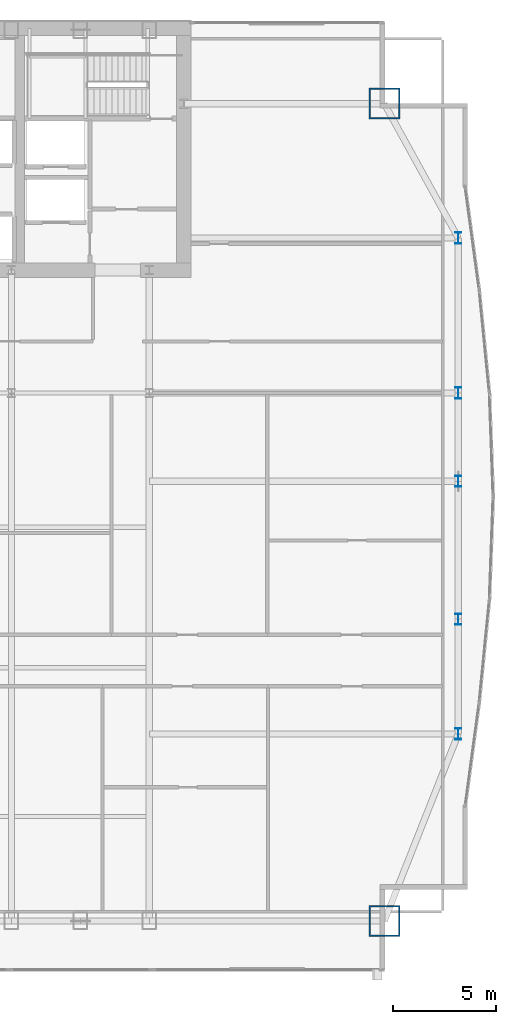
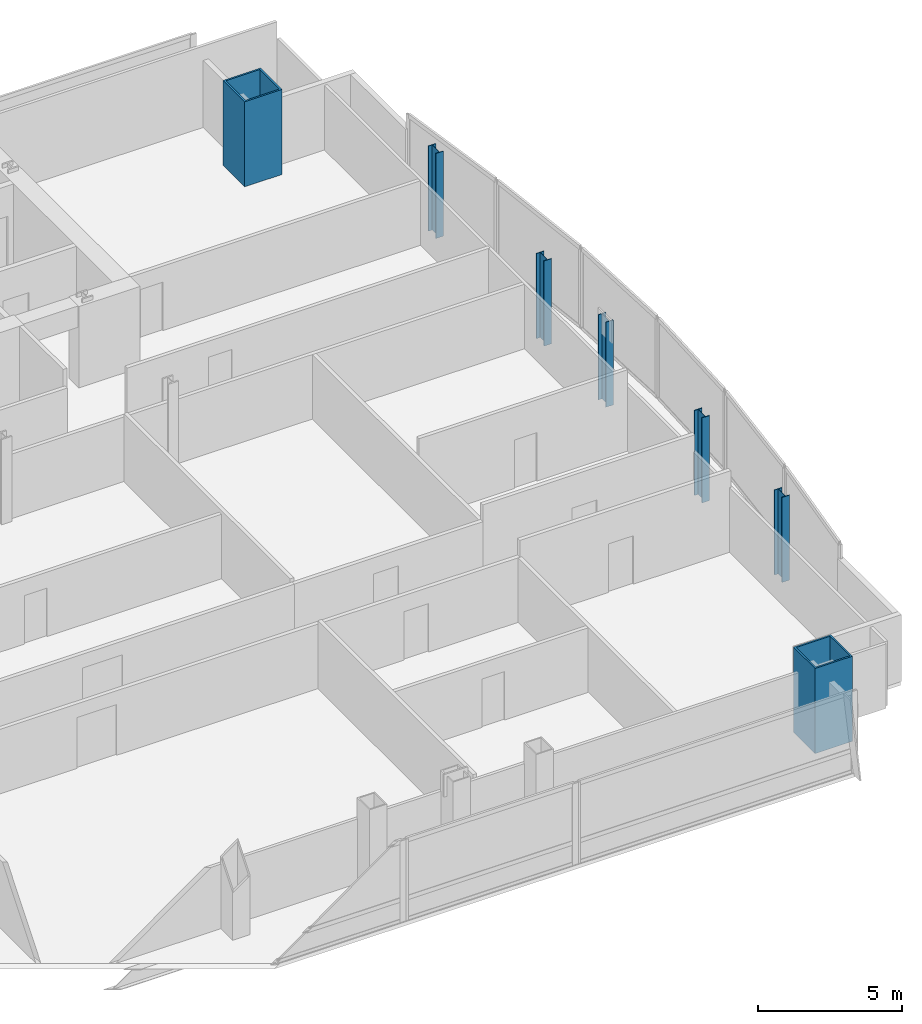
# One storey, part 4 of 32: 7 columns.
"""IFC4 building model written with IfcOpenShell, lengths in metres."""

from ifc_helpers import new_model, si_unit, direction, frame, origin, origin_2d, place, context, subcontext, project, spatial, hollow_rectangle, i_section, extrude, material, material_profile, profile_set, type_object, element, save


model = new_model("IFC4")

# Units and contexts
model_context = context("Model", 3, precision=1e-05, world=origin(), true_north=direction((0.0, 1.0)))
body_context = subcontext(model_context, "Body", "Model", "MODEL_VIEW")
ifc_project = project(units=[si_unit("LENGTHUNIT", "METRE"), si_unit("AREAUNIT", "SQUARE_METRE"), si_unit("VOLUMEUNIT", "CUBIC_METRE"), si_unit("PLANEANGLEUNIT", "RADIAN"), si_unit("MASSUNIT", "GRAM", prefix="KILO")], contexts=[model_context])

# Site, building, storey
site_placement = place(None, origin())
site = spatial("IfcSite", under=ifc_project, at=site_placement, CompositionType="ELEMENT")
building_placement = place(site_placement, origin())
building = spatial("IfcBuilding", under=site, at=building_placement, Name="Khoronbel Lancet Exchange", CompositionType="ELEMENT")
storey_placement = place(building_placement, frame((0.0, 0.0, 125.39990234375)))
storey = spatial("IfcBuildingStorey", under=building, at=storey_placement, Name="L30", CompositionType="ELEMENT", Elevation=125.39990234375)

# Columns
ifc_material_1 = material(Name="Steel S355", Category="steel")
ifc_material_profile_1 = material_profile(ifc_material_1, i_section(OverallWidth=0.300048828125, OverallDepth=0.550048828125, WebThickness=0.014892578125, FlangeThickness=0.029052734375, at=origin_2d()), Name="HEB 550")
ifc_profile_set_1 = profile_set([ifc_material_profile_1], Name="Steel S355")
column_type_1 = type_object("IfcColumnType", Name="COL-LC1", PredefinedType="COLUMN", material=ifc_profile_set_1)
for number, where, z_axis, x_axis, name in (
    (1, (69.6298828125, 19.199951171875, 0.0), (0.0, 0.0, 1.0), (1.0, 0.0, 0.0), "Structural column EC-1 L30"),
    (2, (69.6298828125, 24.75, 0.0), (0.0, 0.0, 1.0), (1.0, 0.0, 0.0), "Structural column EC-2 L30"),
    (3, (69.6298828125, 31.425048828125, 0.0), (0.0, 0.0, 1.0), (1.0, 0.0, 0.0), "Structural column EC-M L30"),
    (4, (69.6298828125, 35.699951171875, 0.0), (0.0, 0.0, 1.0), (1.0, 0.0, 0.0), "Structural column EC-3 L30"),
    (5, (69.6298828125, 43.199951171875, 0.0), (0.0, 0.0, 1.0), (1.0, 0.0, 0.0), "Structural column EC-4 L30"),
):
    element("IfcColumn", number, at=place(storey_placement, frame(where, z_axis=z_axis, x_axis=x_axis)), inside=storey, type_object=column_type_1, Name=name, PredefinedType="COLUMN", context=body_context, shape_type="SweptSolid", body=[
        extrude(i_section(OverallWidth=0.300048828125, OverallDepth=0.550048828125, WebThickness=0.014892578125, FlangeThickness=0.029052734375, at=origin_2d()), origin(), (0.0, 0.0, 1.0), 3.60009765625),
    ])
ifc_material_2 = material(Name="Steel S460", Category="steel")
ifc_material_profile_2 = material_profile(ifc_material_2, hollow_rectangle(XDim=1.5, YDim=1.5, WallThickness=0.070068359375, at=origin_2d()), Name="BOX 1500x1500x70")
ifc_profile_set_2 = profile_set([ifc_material_profile_2], Name="Steel S460")
column_type_2 = type_object("IfcColumnType", Name="COL-MC3", PredefinedType="COLUMN", material=ifc_profile_set_2)
for number, where, z_axis, x_axis, name in (
    (6, (66.050048828125, 10.14990234375, 0.0), (0.0, 0.0, 1.0), (1.0, 0.0, 0.0), "Structural column MC-SE L30"),
    (7, (66.050048828125, 49.699951171875, 0.0), (0.0, 0.0, 1.0), (1.0, 0.0, 0.0), "Structural column MC-NE L30"),
):
    element("IfcColumn", number, at=place(storey_placement, frame(where, z_axis=z_axis, x_axis=x_axis)), inside=storey, type_object=column_type_2, Name=name, PredefinedType="COLUMN", context=body_context, shape_type="SweptSolid", body=[
        extrude(hollow_rectangle(XDim=1.5, YDim=1.5, WallThickness=0.070068359375, at=origin_2d()), origin(), (0.0, 0.0, 1.0), 3.60009765625),
    ])

save(model, "model.ifc")
